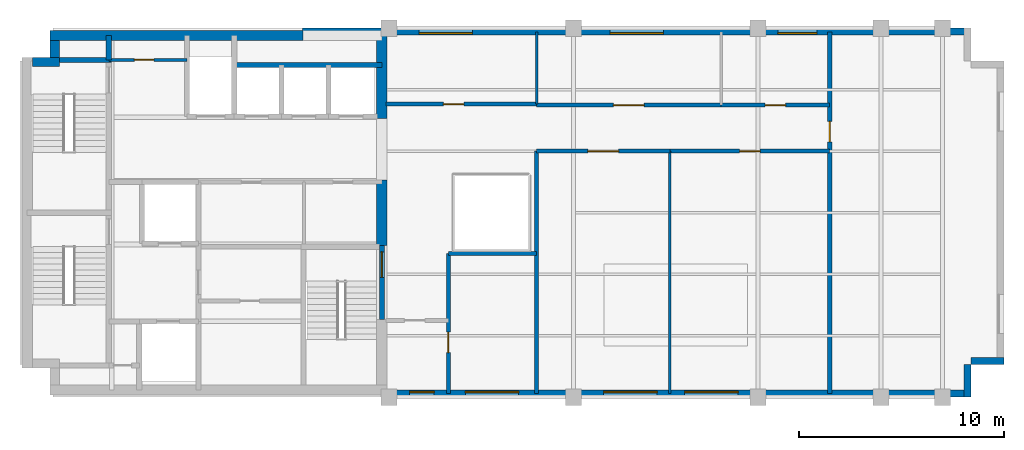
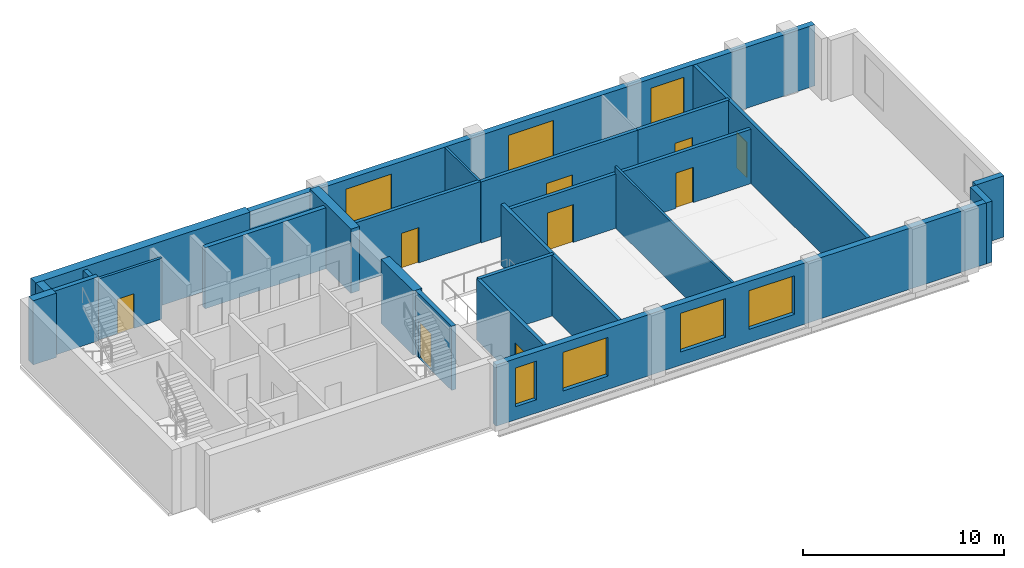
# One storey, part 3 of 5: 25 walls, 9 doors, 7 windows, 16 openings.
"""IFC4 building model written with IfcOpenShell, lengths in metres."""

from ifc_helpers import new_model, si_unit, direction, frame, frame_2d, origin, place, context, subcontext, project, spatial, rectangle, extrude, material, layer, layer_set, type_object, element, fill, save


model = new_model("IFC4")

# Units and contexts
model_context = context("Model", 3, precision=1e-05, world=origin(), true_north=direction((0.0, 1.0)))
body_context = subcontext(model_context, "Body", "Model", "MODEL_VIEW")
ifc_project = project(units=[si_unit("LENGTHUNIT", "METRE"), si_unit("AREAUNIT", "SQUARE_METRE"), si_unit("VOLUMEUNIT", "CUBIC_METRE"), si_unit("PLANEANGLEUNIT", "RADIAN"), si_unit("MASSUNIT", "GRAM", prefix="KILO")], contexts=[model_context])

# Site, building, storey
site_placement = place(None, origin())
site = spatial("IfcSite", under=ifc_project, at=site_placement, CompositionType="ELEMENT")
building_placement = place(site_placement, origin())
building = spatial("IfcBuilding", under=site, at=building_placement, Name="Mawjdan Bourse Tower", CompositionType="ELEMENT")
storey_placement = place(building_placement, frame((0.0, 0.0, 278.10009765625)))
storey = spatial("IfcBuildingStorey", under=building, at=storey_placement, Name="L68", CompositionType="ELEMENT", Elevation=278.10009765625)

# Wall, openings, windows
ifc_material_1 = material(Name="Brick Masonry Buff", Category="masonry")
ifc_layer_1 = layer(ifc_material_1, 0.340087890625)
ifc_layer_set_1 = layer_set([ifc_layer_1], Name="Brick Masonry Buff")
wall_type_1 = type_object("IfcWallType", Name="WL-BRK-SPN-340", PredefinedType="STANDARD", material=ifc_layer_set_1)
wall_1_placement = place(storey_placement, frame((23.89990234375, 3.169921875, 0.0), z_axis=(0.0, 0.0, 1.0), x_axis=(1.0, 0.0, 0.0)))
wall_1 = element("IfcWall", 1, at=wall_1_placement, inside=storey, type_object=wall_type_1, Name="L68 Exterior Brick Wall 1", PredefinedType="STANDARD", context=body_context, shape_type="SweptSolid", body=[
    extrude(rectangle(XDim=28.5, YDim=0.340087890625, at=frame_2d((14.25, 0.0))), origin(), (0.0, 0.0, 1.0), 3.71484375),
])
opening_1_placement = place(wall_1_placement, frame((10.574951171875, 0.0, 0.800048828125)))
opening_1 = element("IfcOpeningElement", 2, at=opening_1_placement, cuts=wall_1, Name="Opening W-L68-01", PredefinedType="OPENING", context=body_context, shape_type="SweptSolid", body=[
    extrude(rectangle(XDim=2.60009765625, YDim=2.35009765625, at=frame_2d((1.300048828125, 1.175048828125))), frame((0.0, 0.18017578125, 0.0), z_axis=(0.0, -1.0, 0.0), x_axis=(1.0, 0.0, 0.0)), (0.0, 0.0, 1.0), 0.360107421875),
])
opening_2_placement = place(wall_1_placement, frame((1.10009765625, 0.0, 0.800048828125)))
opening_2 = element("IfcOpeningElement", 3, at=opening_2_placement, cuts=wall_1, Name="Opening W-L68-06", PredefinedType="OPENING", context=body_context, shape_type="SweptSolid", body=[
    extrude(rectangle(XDim=1.199951171875, YDim=2.35009765625, at=frame_2d((0.60009765625, 1.175048828125))), frame((0.0, 0.18017578125, 0.0), z_axis=(0.0, -1.0, 0.0), x_axis=(1.0, 0.0, 0.0)), (0.0, 0.0, 1.0), 0.360107421875),
])
opening_3_placement = place(wall_1_placement, frame((3.82568359375, 0.0, 0.800048828125)))
opening_3 = element("IfcOpeningElement", 4, at=opening_3_placement, cuts=wall_1, Name="Opening W-L68-07", PredefinedType="OPENING", context=body_context, shape_type="SweptSolid", body=[
    extrude(rectangle(XDim=2.60009765625, YDim=2.35009765625, at=frame_2d((1.300048828125, 1.175048828125))), frame((0.0, 0.18017578125, 0.0), z_axis=(0.0, -1.0, 0.0), x_axis=(1.0, 0.0, 0.0)), (0.0, 0.0, 1.0), 0.360107421875),
])
opening_4_placement = place(wall_1_placement, frame((14.52490234375, 0.0, 0.800048828125)))
opening_4 = element("IfcOpeningElement", 5, at=opening_4_placement, cuts=wall_1, Name="Opening W-L68-08", PredefinedType="OPENING", context=body_context, shape_type="SweptSolid", body=[
    extrude(rectangle(XDim=2.60009765625, YDim=2.35009765625, at=frame_2d((1.300048828125, 1.175048828125))), frame((0.0, 0.18017578125, 0.0), z_axis=(0.0, -1.0, 0.0), x_axis=(1.0, 0.0, 0.0)), (0.0, 0.0, 1.0), 0.360107421875),
])
ifc_material_2 = material(Name="Solar-Control Clear Double Glazing", Category="glass")
window_type_1 = type_object("IfcWindowType", Name="WN-SMT-1200", PartitioningType="SINGLE_PANEL", PredefinedType="WINDOW", material=ifc_material_2)
window_1_placement = place(opening_2_placement, origin())
window_1 = element("IfcWindow", 6, at=window_1_placement, inside=storey, type_object=window_type_1, Name="L68 Deep-Set Masonry Window W-L68-06", OverallHeight=2.35009765625, OverallWidth=1.199951171875, PartitioningType="SINGLE_PANEL", PredefinedType="WINDOW", context=body_context, shape_type="SweptSolid", body=[
    extrude(rectangle(XDim=1.199951171875, YDim=2.35009765625, at=frame_2d((0.60009765625, 1.175048828125))), frame((0.0, 0.110107421875, 0.0), z_axis=(0.0, -1.0, 0.0), x_axis=(1.0, 0.0, 0.0)), (0.0, 0.0, 1.0), 0.06005859375),
])
fill(opening_2, window_1)
window_type_2 = type_object("IfcWindowType", Name="WN-SMT-2600", PartitioningType="SINGLE_PANEL", PredefinedType="WINDOW", material=ifc_material_2)
window_2_placement = place(opening_1_placement, origin())
window_2 = element("IfcWindow", 7, at=window_2_placement, inside=storey, type_object=window_type_2, Name="L68 Deep-Set Masonry Window W-L68-01", OverallHeight=2.35009765625, OverallWidth=2.60009765625, PartitioningType="SINGLE_PANEL", PredefinedType="WINDOW", context=body_context, shape_type="SweptSolid", body=[
    extrude(rectangle(XDim=2.60009765625, YDim=2.35009765625, at=frame_2d((1.300048828125, 1.175048828125))), frame((0.0, 0.110107421875, 0.0), z_axis=(0.0, -1.0, 0.0), x_axis=(1.0, 0.0, 0.0)), (0.0, 0.0, 1.0), 0.06005859375),
])
fill(opening_1, window_2)
window_3_placement = place(opening_3_placement, origin())
window_3 = element("IfcWindow", 8, at=window_3_placement, inside=storey, type_object=window_type_2, Name="L68 Deep-Set Masonry Window W-L68-07", OverallHeight=2.35009765625, OverallWidth=2.60009765625, PartitioningType="SINGLE_PANEL", PredefinedType="WINDOW", context=body_context, shape_type="SweptSolid", body=[
    extrude(rectangle(XDim=2.60009765625, YDim=2.35009765625, at=frame_2d((1.300048828125, 1.175048828125))), frame((0.0, 0.110107421875, 0.0), z_axis=(0.0, -1.0, 0.0), x_axis=(1.0, 0.0, 0.0)), (0.0, 0.0, 1.0), 0.06005859375),
])
fill(opening_3, window_3)
window_4_placement = place(opening_4_placement, origin())
window_4 = element("IfcWindow", 9, at=window_4_placement, inside=storey, type_object=window_type_2, Name="L68 Deep-Set Masonry Window W-L68-08", OverallHeight=2.35009765625, OverallWidth=2.60009765625, PartitioningType="SINGLE_PANEL", PredefinedType="WINDOW", context=body_context, shape_type="SweptSolid", body=[
    extrude(rectangle(XDim=2.60009765625, YDim=2.35009765625, at=frame_2d((1.300048828125, 1.175048828125))), frame((0.0, 0.110107421875, 0.0), z_axis=(0.0, -1.0, 0.0), x_axis=(1.0, 0.0, 0.0)), (0.0, 0.0, 1.0), 0.06005859375),
])
fill(opening_4, window_4)

# Walls
for number, where, z_axis, x_axis, name in (
    (10, (52.22998046875, 3.0, 0.0), (0.0, 0.0, 1.0), (0.0, 1.0, 0.0), "L68 Exterior Brick Wall 2"),
    (11, (52.39990234375, 4.77001953125, 0.0), (0.0, 0.0, 1.0), (1.0, 0.0, 0.0), "L68 Exterior Brick Wall 3"),
):
    element("IfcWall", number, at=place(storey_placement, frame(where, z_axis=z_axis, x_axis=x_axis)), inside=storey, type_object=wall_type_1, Name=name, PredefinedType="STANDARD", context=body_context, shape_type="SweptSolid", body=[
        extrude(rectangle(XDim=1.60009765625, YDim=0.340087890625, at=frame_2d((0.800048828125, 0.0))), origin(), (0.0, 0.0, 1.0), 3.71484375),
    ])

# Wall, openings, windows
wall_2_placement = place(storey_placement, frame((52.39990234375, 20.830078125, 0.0), z_axis=(0.0, 0.0, 1.0), x_axis=(-1.0, 0.0, 0.0)))
wall_2 = element("IfcWall", 12, at=wall_2_placement, inside=storey, type_object=wall_type_1, Name="L68 Exterior Brick Wall 7", PredefinedType="STANDARD", context=body_context, shape_type="SweptSolid", body=[
    extrude(rectangle(XDim=32.619873046875, YDim=0.340087890625, at=frame_2d((16.31005859375, 0.0))), origin(), (0.0, 0.0, 1.0), 3.71484375),
])
opening_5_placement = place(wall_2_placement, frame((15.010009765625, 0.0, 0.800048828125)))
opening_5 = element("IfcOpeningElement", 13, at=opening_5_placement, cuts=wall_2, Name="Opening W-L68-04", PredefinedType="OPENING", context=body_context, shape_type="SweptSolid", body=[
    extrude(rectangle(XDim=2.60009765625, YDim=2.35009765625, at=frame_2d((1.300048828125, 1.175048828125))), frame((0.0, 0.18017578125, 0.0), z_axis=(0.0, -1.0, 0.0), x_axis=(1.0, 0.0, 0.0)), (0.0, 0.0, 1.0), 0.360107421875),
])
opening_6_placement = place(wall_2_placement, frame((24.330078125, 0.0, 0.800048828125)))
opening_6 = element("IfcOpeningElement", 14, at=opening_6_placement, cuts=wall_2, Name="Opening W-L68-05", PredefinedType="OPENING", context=body_context, shape_type="SweptSolid", body=[
    extrude(rectangle(XDim=2.60009765625, YDim=2.35009765625, at=frame_2d((1.300048828125, 1.175048828125))), frame((0.0, 0.18017578125, 0.0), z_axis=(0.0, -1.0, 0.0), x_axis=(1.0, 0.0, 0.0)), (0.0, 0.0, 1.0), 0.360107421875),
])
opening_7_placement = place(wall_2_placement, frame((7.52490234375, 0.0, 0.800048828125)))
opening_7 = element("IfcOpeningElement", 15, at=opening_7_placement, cuts=wall_2, Name="Opening W-L68-09", PredefinedType="OPENING", context=body_context, shape_type="SweptSolid", body=[
    extrude(rectangle(XDim=1.89990234375, YDim=2.35009765625, at=frame_2d((0.949951171875, 1.175048828125))), frame((0.0, 0.18017578125, 0.0), z_axis=(0.0, -1.0, 0.0), x_axis=(1.0, 0.0, 0.0)), (0.0, 0.0, 1.0), 0.360107421875),
])
window_type_3 = type_object("IfcWindowType", Name="WN-SMT-1900", PartitioningType="SINGLE_PANEL", PredefinedType="WINDOW", material=ifc_material_2)
window_5_placement = place(opening_7_placement, origin())
window_5 = element("IfcWindow", 16, at=window_5_placement, inside=storey, type_object=window_type_3, Name="L68 Deep-Set Masonry Window W-L68-09", OverallHeight=2.35009765625, OverallWidth=1.89990234375, PartitioningType="SINGLE_PANEL", PredefinedType="WINDOW", context=body_context, shape_type="SweptSolid", body=[
    extrude(rectangle(XDim=1.89990234375, YDim=2.35009765625, at=frame_2d((0.949951171875, 1.175048828125))), frame((0.0, 0.110107421875, 0.0), z_axis=(0.0, -1.0, 0.0), x_axis=(1.0, 0.0, 0.0)), (0.0, 0.0, 1.0), 0.06005859375),
])
fill(opening_7, window_5)
window_6_placement = place(opening_5_placement, origin())
window_6 = element("IfcWindow", 17, at=window_6_placement, inside=storey, type_object=window_type_2, Name="L68 Deep-Set Masonry Window W-L68-04", OverallHeight=2.35009765625, OverallWidth=2.60009765625, PartitioningType="SINGLE_PANEL", PredefinedType="WINDOW", context=body_context, shape_type="SweptSolid", body=[
    extrude(rectangle(XDim=2.60009765625, YDim=2.35009765625, at=frame_2d((1.300048828125, 1.175048828125))), frame((0.0, 0.110107421875, 0.0), z_axis=(0.0, -1.0, 0.0), x_axis=(1.0, 0.0, 0.0)), (0.0, 0.0, 1.0), 0.06005859375),
])
fill(opening_5, window_6)
window_7_placement = place(opening_6_placement, origin())
window_7 = element("IfcWindow", 18, at=window_7_placement, inside=storey, type_object=window_type_2, Name="L68 Deep-Set Masonry Window W-L68-05", OverallHeight=2.35009765625, OverallWidth=2.60009765625, PartitioningType="SINGLE_PANEL", PredefinedType="WINDOW", context=body_context, shape_type="SweptSolid", body=[
    extrude(rectangle(XDim=2.60009765625, YDim=2.35009765625, at=frame_2d((1.300048828125, 1.175048828125))), frame((0.0, 0.110107421875, 0.0), z_axis=(0.0, -1.0, 0.0), x_axis=(1.0, 0.0, 0.0)), (0.0, 0.0, 1.0), 0.06005859375),
])
fill(opening_6, window_7)

# Wall, opening, door
ifc_material_3 = material(Name="Gypsum Fireboard Assembly")
ifc_layer_2 = layer(ifc_material_3, 0.199951171875)
ifc_layer_set_2 = layer_set([ifc_layer_2], Name="Gypsum Fireboard Assembly")
wall_type_2 = type_object("IfcWallType", Name="WL-CMP-200", PredefinedType="PARTITIONING", material=ifc_layer_set_2)
wall_3_placement = place(storey_placement, frame((26.89990234375, 3.179931640625, 0.0), z_axis=(0.0, 0.0, 1.0), x_axis=(0.0, 1.0, 0.0)))
wall_3 = element("IfcWall", 19, at=wall_3_placement, inside=storey, type_object=wall_type_2, Name="L68 Summit South Atrium Suite West Wall", PredefinedType="PARTITIONING", context=body_context, shape_type="SweptSolid", body=[
    extrude(rectangle(XDim=6.820068359375, YDim=0.199951171875, at=frame_2d((3.41015625, 0.0))), origin(), (0.0, 0.0, 1.0), 3.704833984375),
])
opening_8_placement = place(wall_3_placement, frame((2.0, 0.0, 0.0)))
opening_8 = element("IfcOpeningElement", 20, at=opening_8_placement, cuts=wall_3, Name="Opening D-L68-18", PredefinedType="OPENING", context=body_context, shape_type="SweptSolid", body=[
    extrude(rectangle(XDim=1.0, YDim=2.14990234375, at=frame_2d((0.5, 1.074951171875))), frame((0.0, 0.10986328125, 0.0), z_axis=(0.0, -1.0, 0.0), x_axis=(1.0, 0.0, 0.0)), (0.0, 0.0, 1.0), 0.219970703125),
])
ifc_material_4 = material(Name="Hardwood Acoustic Leaf", Category="wood")
door_type_1 = type_object("IfcDoorType", Name="DR-OFC-1000", OperationType="NOTDEFINED", PredefinedType="DOOR", material=ifc_material_4)
door_1_placement = place(opening_8_placement, origin())
door_1 = element("IfcDoor", 21, at=door_1_placement, inside=storey, type_object=door_type_1, Name="L68 Summit South Atrium Suite Door D-L68-18", OperationType="SINGLE_SWING_RIGHT", OverallHeight=2.14990234375, OverallWidth=1.0, PredefinedType="DOOR", context=body_context, shape_type="SweptSolid", body=[
    extrude(rectangle(XDim=1.0, YDim=2.14990234375, at=frame_2d((0.5, 1.074951171875))), frame((0.0, 0.02490234375, 0.0), z_axis=(0.0, -1.0, 0.0), x_axis=(1.0, 0.0, 0.0)), (0.0, 0.0, 1.0), 0.050048828125),
])
fill(opening_8, door_1)

# Walls
wall_4_placement = place(storey_placement, frame((26.89990234375, 10.0, 0.0), z_axis=(0.0, 0.0, 1.0), x_axis=(1.0, 0.0, 0.0)))
element("IfcWall", 22, at=wall_4_placement, inside=storey, type_object=wall_type_2, Name="L68 Summit South Atrium Suite North Wall", PredefinedType="PARTITIONING", context=body_context, shape_type="SweptSolid", body=[
    extrude(rectangle(XDim=4.300048828125, YDim=0.199951171875, at=frame_2d((2.14990234375, 0.0))), origin(), (0.0, 0.0, 1.0), 3.704833984375),
])
wall_5_placement = place(storey_placement, frame((31.199951171875, 3.179931640625, 0.0), z_axis=(0.0, 0.0, 1.0), x_axis=(0.0, 1.0, 0.0)))
element("IfcWall", 23, at=wall_5_placement, inside=storey, type_object=wall_type_2, Name="L68 Summit South Atrium Suite East Wall", PredefinedType="PARTITIONING", context=body_context, shape_type="SweptSolid", body=[
    extrude(rectangle(XDim=11.820068359375, YDim=0.199951171875, at=frame_2d((5.91015625, 0.0))), origin(), (0.0, 0.0, 1.0), 3.704833984375),
])

# Wall, opening, door
wall_6_placement = place(storey_placement, frame((23.85009765625, 17.300048828125, 0.0), z_axis=(0.0, 0.0, 1.0), x_axis=(1.0, 0.0, 0.0)))
wall_6 = element("IfcWall", 24, at=wall_6_placement, inside=storey, type_object=wall_type_2, Name="L68 Summit Throat North Wall", PredefinedType="PARTITIONING", context=body_context, shape_type="SweptSolid", body=[
    extrude(rectangle(XDim=7.349853515625, YDim=0.199951171875, at=frame_2d((3.6748046875, 0.0))), origin(), (0.0, 0.0, 1.0), 3.704833984375),
])
opening_9_placement = place(wall_6_placement, frame((2.800048828125, 0.0, 0.0)))
opening_9 = element("IfcOpeningElement", 25, at=opening_9_placement, cuts=wall_6, Name="Opening D-L68-19", PredefinedType="OPENING", context=body_context, shape_type="SweptSolid", body=[
    extrude(rectangle(XDim=1.0, YDim=2.14990234375, at=frame_2d((0.5, 1.074951171875))), frame((0.0, 0.10986328125, 0.0), z_axis=(0.0, -1.0, 0.0), x_axis=(1.0, 0.0, 0.0)), (0.0, 0.0, 1.0), 0.219970703125),
])
door_2_placement = place(opening_9_placement, origin())
door_2 = element("IfcDoor", 26, at=door_2_placement, inside=storey, type_object=door_type_1, Name="L68 Summit Throat North Room Door D-L68-19", OperationType="SINGLE_SWING_LEFT", OverallHeight=2.14990234375, OverallWidth=1.0, PredefinedType="DOOR", context=body_context, shape_type="SweptSolid", body=[
    extrude(rectangle(XDim=1.0, YDim=2.14990234375, at=frame_2d((0.5, 1.074951171875))), frame((0.0, 0.02490234375, 0.0), z_axis=(0.0, -1.0, 0.0), x_axis=(1.0, 0.0, 0.0)), (0.0, 0.0, 1.0), 0.050048828125),
])
fill(opening_9, door_2)

wall_7_placement = place(storey_placement, frame((31.199951171875, 15.0, 0.0), z_axis=(0.0, 0.0, 1.0), x_axis=(1.0, 0.0, 0.0)))
wall_7 = element("IfcWall", 27, at=wall_7_placement, inside=storey, type_object=wall_type_2, Name="L68 Board of Governors Chamber Corridor Wall", PredefinedType="PARTITIONING", context=body_context, shape_type="SweptSolid", body=[
    extrude(rectangle(XDim=6.5, YDim=0.199951171875, at=frame_2d((3.25, 0.0))), origin(), (0.0, 0.0, 1.0), 3.30078125),
])
opening_10_placement = place(wall_7_placement, frame((2.5, 0.0, 0.0)))
opening_10 = element("IfcOpeningElement", 28, at=opening_10_placement, cuts=wall_7, Name="Opening D-L68-20", PredefinedType="OPENING", context=body_context, shape_type="SweptSolid", body=[
    extrude(rectangle(XDim=1.5, YDim=2.300048828125, at=frame_2d((0.75, 1.14990234375))), frame((0.0, 0.10986328125, 0.0), z_axis=(0.0, -1.0, 0.0), x_axis=(1.0, 0.0, 0.0)), (0.0, 0.0, 1.0), 0.219970703125),
])
ifc_material_5 = material(Name="Acoustic Glazed Timber", Category="wood")
door_type_2 = type_object("IfcDoorType", Name="DR-CNF-1500", OperationType="DOUBLE_DOOR_SINGLE_SWING", PredefinedType="DOOR", material=ifc_material_5)
door_3_placement = place(opening_10_placement, origin())
door_3 = element("IfcDoor", 29, at=door_3_placement, inside=storey, type_object=door_type_2, Name="L68 Board of Governors Chamber Door D-L68-20", OperationType="DOUBLE_DOOR_SINGLE_SWING", OverallHeight=2.300048828125, OverallWidth=1.5, PredefinedType="DOOR", context=body_context, shape_type="SweptSolid", body=[
    extrude(rectangle(XDim=1.5, YDim=2.300048828125, at=frame_2d((0.75, 1.14990234375))), frame((0.0, 0.02490234375, 0.0), z_axis=(0.0, -1.0, 0.0), x_axis=(1.0, 0.0, 0.0)), (0.0, 0.0, 1.0), 0.050048828125),
])
fill(opening_10, door_3)

wall_8_placement = place(storey_placement, frame((37.699951171875, 15.0, 0.0), z_axis=(0.0, 0.0, 1.0), x_axis=(1.0, 0.0, 0.0)))
wall_8 = element("IfcWall", 30, at=wall_8_placement, inside=storey, type_object=wall_type_2, Name="L68 Executive Office Corridor Wall", PredefinedType="PARTITIONING", context=body_context, shape_type="SweptSolid", body=[
    extrude(rectangle(XDim=7.800048828125, YDim=0.199951171875, at=frame_2d((3.89990234375, 0.0))), origin(), (0.0, 0.0, 1.0), 3.30078125),
])
opening_11_placement = place(wall_8_placement, frame((3.39990234375, 0.0, 0.0)))
opening_11 = element("IfcOpeningElement", 31, at=opening_11_placement, cuts=wall_8, Name="Opening D-L68-21", PredefinedType="OPENING", context=body_context, shape_type="SweptSolid", body=[
    extrude(rectangle(XDim=1.0, YDim=2.14990234375, at=frame_2d((0.5, 1.074951171875))), frame((0.0, 0.10986328125, 0.0), z_axis=(0.0, -1.0, 0.0), x_axis=(1.0, 0.0, 0.0)), (0.0, 0.0, 1.0), 0.219970703125),
])
door_4_placement = place(opening_11_placement, origin())
door_4 = element("IfcDoor", 32, at=door_4_placement, inside=storey, type_object=door_type_1, Name="L68 Executive Office Door D-L68-21", OperationType="SINGLE_SWING_RIGHT", OverallHeight=2.14990234375, OverallWidth=1.0, PredefinedType="DOOR", context=body_context, shape_type="SweptSolid", body=[
    extrude(rectangle(XDim=1.0, YDim=2.14990234375, at=frame_2d((0.5, 1.074951171875))), frame((0.0, 0.02490234375, 0.0), z_axis=(0.0, -1.0, 0.0), x_axis=(1.0, 0.0, 0.0)), (0.0, 0.0, 1.0), 0.050048828125),
])
fill(opening_11, door_4)

wall_9_placement = place(storey_placement, frame((31.199951171875, 17.25, 0.0), z_axis=(0.0, 0.0, 1.0), x_axis=(1.0, 0.0, 0.0)))
wall_9 = element("IfcWall", 33, at=wall_9_placement, inside=storey, type_object=wall_type_2, Name="L68 Conference Room Corridor Wall", PredefinedType="PARTITIONING", context=body_context, shape_type="SweptSolid", body=[
    extrude(rectangle(XDim=9.0, YDim=0.199951171875, at=frame_2d((4.5, 0.0))), origin(), (0.0, 0.0, 1.0), 3.704833984375),
])
opening_12_placement = place(wall_9_placement, frame((3.75, 0.0, 0.0)))
opening_12 = element("IfcOpeningElement", 34, at=opening_12_placement, cuts=wall_9, Name="Opening D-L68-22", PredefinedType="OPENING", context=body_context, shape_type="SweptSolid", body=[
    extrude(rectangle(XDim=1.5, YDim=2.300048828125, at=frame_2d((0.75, 1.14990234375))), frame((0.0, 0.10986328125, 0.0), z_axis=(0.0, -1.0, 0.0), x_axis=(1.0, 0.0, 0.0)), (0.0, 0.0, 1.0), 0.219970703125),
])
door_5_placement = place(opening_12_placement, origin())
door_5 = element("IfcDoor", 35, at=door_5_placement, inside=storey, type_object=door_type_2, Name="L68 Conference Room Door D-L68-22", OperationType="DOUBLE_DOOR_SINGLE_SWING", OverallHeight=2.300048828125, OverallWidth=1.5, PredefinedType="DOOR", context=body_context, shape_type="SweptSolid", body=[
    extrude(rectangle(XDim=1.5, YDim=2.300048828125, at=frame_2d((0.75, 1.14990234375))), frame((0.0, 0.02490234375, 0.0), z_axis=(0.0, -1.0, 0.0), x_axis=(1.0, 0.0, 0.0)), (0.0, 0.0, 1.0), 0.050048828125),
])
fill(opening_12, door_5)

wall_10_placement = place(storey_placement, frame((40.199951171875, 17.25, 0.0), z_axis=(0.0, 0.0, 1.0), x_axis=(1.0, 0.0, 0.0)))
wall_10 = element("IfcWall", 36, at=wall_10_placement, inside=storey, type_object=wall_type_2, Name="L68 General Counsel Office Corridor Wall", PredefinedType="PARTITIONING", context=body_context, shape_type="SweptSolid", body=[
    extrude(rectangle(XDim=5.300048828125, YDim=0.199951171875, at=frame_2d((2.64990234375, 0.0))), origin(), (0.0, 0.0, 1.0), 3.704833984375),
])
opening_13_placement = place(wall_10_placement, frame((2.14990234375, 0.0, 0.0)))
opening_13 = element("IfcOpeningElement", 37, at=opening_13_placement, cuts=wall_10, Name="Opening D-L68-23", PredefinedType="OPENING", context=body_context, shape_type="SweptSolid", body=[
    extrude(rectangle(XDim=1.0, YDim=2.14990234375, at=frame_2d((0.5, 1.074951171875))), frame((0.0, 0.10986328125, 0.0), z_axis=(0.0, -1.0, 0.0), x_axis=(1.0, 0.0, 0.0)), (0.0, 0.0, 1.0), 0.219970703125),
])
door_6_placement = place(opening_13_placement, origin())
door_6 = element("IfcDoor", 38, at=door_6_placement, inside=storey, type_object=door_type_1, Name="L68 General Counsel Office Door D-L68-23", OperationType="SINGLE_SWING_LEFT", OverallHeight=2.14990234375, OverallWidth=1.0, PredefinedType="DOOR", context=body_context, shape_type="SweptSolid", body=[
    extrude(rectangle(XDim=1.0, YDim=2.14990234375, at=frame_2d((0.5, 1.074951171875))), frame((0.0, 0.02490234375, 0.0), z_axis=(0.0, -1.0, 0.0), x_axis=(1.0, 0.0, 0.0)), (0.0, 0.0, 1.0), 0.050048828125),
])
fill(opening_13, door_6)

wall_11_placement = place(storey_placement, frame((45.5, 3.179931640625, 0.0), z_axis=(0.0, 0.0, 1.0), x_axis=(0.0, 1.0, 0.0)))
wall_11 = element("IfcWall", 39, at=wall_11_placement, inside=storey, type_object=wall_type_2, Name="L68 East Tip Full Cross Wall", PredefinedType="PARTITIONING", context=body_context, shape_type="SweptSolid", body=[
    extrude(rectangle(XDim=17.64013671875, YDim=0.199951171875, at=frame_2d((8.820068359375, 0.0))), origin(), (0.0, 0.0, 1.0), 3.704833984375),
])
opening_14_placement = place(wall_11_placement, frame((12.27490234375, 0.0, 0.0)))
opening_14 = element("IfcOpeningElement", 40, at=opening_14_placement, cuts=wall_11, Name="Opening D-L68-24", PredefinedType="OPENING", context=body_context, shape_type="SweptSolid", body=[
    extrude(rectangle(XDim=1.0, YDim=2.14990234375, at=frame_2d((0.5, 1.074951171875))), frame((0.0, 0.10986328125, 0.0), z_axis=(0.0, -1.0, 0.0), x_axis=(1.0, 0.0, 0.0)), (0.0, 0.0, 1.0), 0.219970703125),
])
door_7_placement = place(opening_14_placement, origin())
door_7 = element("IfcDoor", 41, at=door_7_placement, inside=storey, type_object=door_type_1, Name="L68 East Tip Hall Door D-L68-24", OperationType="SINGLE_SWING_RIGHT", OverallHeight=2.14990234375, OverallWidth=1.0, PredefinedType="DOOR", context=body_context, shape_type="SweptSolid", body=[
    extrude(rectangle(XDim=1.0, YDim=2.14990234375, at=frame_2d((0.5, 1.074951171875))), frame((0.0, 0.02490234375, 0.0), z_axis=(0.0, -1.0, 0.0), x_axis=(1.0, 0.0, 0.0)), (0.0, 0.0, 1.0), 0.050048828125),
])
fill(opening_14, door_7)

# Walls
ifc_material_6 = material(Name="Concrete C60/75", Category="concrete")
ifc_layer_3 = layer(ifc_material_6, 0.449951171875)
ifc_layer_set_3 = layer_set([ifc_layer_3], Name="Concrete C60/75")
wall_type_3 = type_object("IfcWallType", Name="WL-CORE-450", PredefinedType="SHEAR", material=ifc_layer_set_3)
wall_12_placement = place(storey_placement, frame((6.60009765625, 19.35009765625, 0.0), z_axis=(0.0, 0.0, 1.0), x_axis=(1.0, 0.0, 0.0)))
element("IfcWall", 42, at=wall_12_placement, inside=storey, type_object=wall_type_3, Name="L68 Rear Core Shear Wall NW-X", PredefinedType="SHEAR", context=body_context, shape_type="SweptSolid", body=[
    extrude(rectangle(XDim=1.324951171875, YDim=0.449951171875, at=frame_2d((0.66259765625, 0.0))), origin(), (0.0, 0.0, 1.0), 3.89990234375),
])
wall_13_placement = place(storey_placement, frame((7.699951171875, 19.574951171875, 0.0), z_axis=(0.0, 0.0, 1.0), x_axis=(0.0, 1.0, 0.0)))
element("IfcWall", 43, at=wall_13_placement, inside=storey, type_object=wall_type_3, Name="L68 Rear Core Shear Wall NW-Y", PredefinedType="SHEAR", context=body_context, shape_type="SweptSolid", body=[
    extrude(rectangle(XDim=0.824951171875, YDim=0.449951171875, at=frame_2d((0.41259765625, 0.0))), origin(), (0.0, 0.0, 1.0), 3.89990234375),
])
ifc_layer_4 = layer(ifc_material_6, 0.5)
ifc_layer_set_4 = layer_set([ifc_layer_4], Name="Concrete C60/75")
wall_type_4 = type_object("IfcWallType", Name="WL-CORE-500", PredefinedType="SHEAR", material=ifc_layer_set_4)
wall_14_placement = place(storey_placement, frame((7.47509765625, 20.64990234375, 0.0), z_axis=(0.0, 0.0, 1.0), x_axis=(1.0, 0.0, 0.0)))
element("IfcWall", 44, at=wall_14_placement, inside=storey, type_object=wall_type_4, Name="L68 Rear Core Shear Wall N", PredefinedType="SHEAR", context=body_context, shape_type="SweptSolid", body=[
    extrude(rectangle(XDim=12.324951171875, YDim=0.5, at=frame_2d((6.16259765625, 0.0))), origin(), (0.0, 0.0, 1.0), 3.89990234375),
])
wall_15_placement = place(storey_placement, frame((23.64990234375, 10.39990234375, 0.0), z_axis=(0.0, 0.0, 1.0), x_axis=(0.0, 1.0, 0.0)))
element("IfcWall", 45, at=wall_15_placement, inside=storey, type_object=wall_type_4, Name="L68 Rear Core Shear Wall E2", PredefinedType="SHEAR", context=body_context, shape_type="SweptSolid", body=[
    extrude(rectangle(XDim=3.2001953125, YDim=0.5, at=frame_2d((1.60009765625, 0.0))), origin(), (0.0, 0.0, 1.0), 3.89990234375),
])
wall_16_placement = place(storey_placement, frame((23.64990234375, 16.60009765625, 0.0), z_axis=(0.0, 0.0, 1.0), x_axis=(0.0, 1.0, 0.0)))
element("IfcWall", 46, at=wall_16_placement, inside=storey, type_object=wall_type_4, Name="L68 Rear Core Shear Wall E3", PredefinedType="SHEAR", context=body_context, shape_type="SweptSolid", body=[
    extrude(rectangle(XDim=4.0498046875, YDim=0.5, at=frame_2d((2.02490234375, 0.0))), origin(), (0.0, 0.0, 1.0), 3.89990234375),
])
ifc_material_7 = material(Name="Gypsum Partition")
ifc_layer_5 = layer(ifc_material_7, 0.125)
ifc_layer_set_5 = layer_set([ifc_layer_5], Name="Gypsum Partition")
wall_type_5 = type_object("IfcWallType", Name="WL-PRT-125", PredefinedType="PARTITIONING", material=ifc_layer_set_5)
wall_17_placement = place(storey_placement, frame((31.199951171875, 17.300048828125, 0.0), z_axis=(0.0, 0.0, 1.0), x_axis=(0.0, 1.0, 0.0)))
element("IfcWall", 47, at=wall_17_placement, inside=storey, type_object=wall_type_5, Name="L68 Summit Throat North Return", PredefinedType="PARTITIONING", context=body_context, shape_type="SweptSolid", body=[
    extrude(rectangle(XDim=3.52001953125, YDim=0.125, at=frame_2d((1.760009765625, 0.0))), origin(), (0.0, 0.0, 1.0), 3.704833984375),
])
wall_18_placement = place(storey_placement, frame((37.699951171875, 3.179931640625, 0.0), z_axis=(0.0, 0.0, 1.0), x_axis=(0.0, 1.0, 0.0)))
element("IfcWall", 48, at=wall_18_placement, inside=storey, type_object=wall_type_5, Name="L68 Executive Office Partition", PredefinedType="PARTITIONING", context=body_context, shape_type="SweptSolid", body=[
    extrude(rectangle(XDim=11.820068359375, YDim=0.125, at=frame_2d((5.91015625, 0.0))), origin(), (0.0, 0.0, 1.0), 3.704833984375),
])

# Wall, opening, door
ifc_material_8 = material(Name="Gypsum Acoustic Partition")
ifc_layer_6 = layer(ifc_material_8, 0.14990234375)
ifc_layer_set_6 = layer_set([ifc_layer_6], Name="Gypsum Acoustic Partition")
wall_type_6 = type_object("IfcWallType", Name="WL-PRT-150", PredefinedType="PARTITIONING", material=ifc_layer_set_6)
wall_19_placement = place(storey_placement, frame((10.330078125, 19.449951171875, 0.0), z_axis=(0.0, 0.0, 1.0), x_axis=(1.0, 0.0, 0.0)))
wall_19 = element("IfcWall", 49, at=wall_19_placement, inside=storey, type_object=wall_type_6, Name="L68 Housekeeping South Wall", PredefinedType="PARTITIONING", context=body_context, shape_type="SweptSolid", body=[
    extrude(rectangle(XDim=3.81982421875, YDim=0.14990234375, at=frame_2d((1.909912109375, 0.0))), origin(), (0.0, 0.0, 1.0), 3.704833984375),
])
opening_15_placement = place(wall_19_placement, frame((1.25, 0.0, 0.0)))
opening_15 = element("IfcOpeningElement", 50, at=opening_15_placement, cuts=wall_19, Name="Opening D-L68-16", PredefinedType="OPENING", context=body_context, shape_type="SweptSolid", body=[
    extrude(rectangle(XDim=0.949951171875, YDim=2.10009765625, at=frame_2d((0.47509765625, 1.050048828125))), frame((0.0, 0.0849609375, 0.0), z_axis=(0.0, -1.0, 0.0), x_axis=(1.0, 0.0, 0.0)), (0.0, 0.0, 1.0), 0.169921875),
])
ifc_material_9 = material(Name="Moisture-Resistant Laminate Timber", Category="wood")
door_type_3 = type_object("IfcDoorType", Name="DR-WET-0950", OperationType="NOTDEFINED", PredefinedType="DOOR", material=ifc_material_9)
door_8_placement = place(opening_15_placement, origin())
door_8 = element("IfcDoor", 51, at=door_8_placement, inside=storey, type_object=door_type_3, Name="L68 Housekeeping Closet Door D-L68-16", OperationType="SINGLE_SWING_RIGHT", OverallHeight=2.10009765625, OverallWidth=0.949951171875, PredefinedType="DOOR", context=body_context, shape_type="SweptSolid", body=[
    extrude(rectangle(XDim=0.949951171875, YDim=2.10009765625, at=frame_2d((0.47509765625, 1.050048828125))), frame((0.0, 0.02490234375, 0.0), z_axis=(0.0, -1.0, 0.0), x_axis=(1.0, 0.0, 0.0)), (0.0, 0.0, 1.0), 0.050048828125),
])
fill(opening_15, door_8)

# Walls
ifc_material_10 = material(Name="Concrete C50/60", Category="concrete")
ifc_layer_7 = layer(ifc_material_10, 0.25)
ifc_layer_set_7 = layer_set([ifc_layer_7], Name="Concrete C50/60")
wall_type_7 = type_object("IfcWallType", Name="WL-SHFT-250", PredefinedType="PARTITIONING", material=ifc_layer_set_7)
wall_20_placement = place(storey_placement, frame((10.330078125, 19.449951171875, 0.0), z_axis=(0.0, 0.0, 1.0), x_axis=(0.0, 1.0, 0.0)))
element("IfcWall", 52, at=wall_20_placement, inside=storey, type_object=wall_type_7, Name="L68 NW Riser East Wall", PredefinedType="PARTITIONING", context=body_context, shape_type="SweptSolid", body=[
    extrude(rectangle(XDim=1.199951171875, YDim=0.25, at=frame_2d((0.60009765625, 0.0))), origin(), (0.0, 0.0, 1.0), 3.704833984375),
])
wall_21_placement = place(storey_placement, frame((16.449951171875, 19.199951171875, 0.0), z_axis=(0.0, 0.0, 1.0), x_axis=(1.0, 0.0, 0.0)))
element("IfcWall", 53, at=wall_21_placement, inside=storey, type_object=wall_type_7, Name="L68 PH Bank North Shaft Back Wall", PredefinedType="PARTITIONING", context=body_context, shape_type="SweptSolid", body=[
    extrude(rectangle(XDim=7.199951171875, YDim=0.25, at=frame_2d((3.60009765625, 0.0))), origin(), (0.0, 0.0, 1.0), 3.704833984375),
])
ifc_layer_8 = layer(ifc_material_10, 0.25)
ifc_layer_set_8 = layer_set([ifc_layer_8], Name="Concrete C50/60")
wall_type_8 = type_object("IfcWallType", Name="WL-STRW-250", PredefinedType="SHEAR", material=ifc_layer_set_8)
wall_22_placement = place(storey_placement, frame((7.699951171875, 19.449951171875, 0.0), z_axis=(0.0, 0.0, 1.0), x_axis=(1.0, 0.0, 0.0)))
element("IfcWall", 54, at=wall_22_placement, inside=storey, type_object=wall_type_8, Name="L68 Stairwell ST2 North Shaft Wall", PredefinedType="SHEAR", context=body_context, shape_type="SweptSolid", body=[
    extrude(rectangle(XDim=2.755126953125, YDim=0.25, at=frame_2d((1.37744140625, 0.0))), origin(), (0.0, 0.0, 1.0), 3.89990234375),
])

# Wall, opening, door
wall_23_placement = place(storey_placement, frame((23.64990234375, 6.800048828125, 0.0), z_axis=(0.0, 0.0, 1.0), x_axis=(0.0, 1.0, 0.0)))
wall_23 = element("IfcWall", 55, at=wall_23_placement, inside=storey, type_object=wall_type_8, Name="L68 ST7 East Shaft Wall", PredefinedType="SHEAR", context=body_context, shape_type="SweptSolid", body=[
    extrude(rectangle(XDim=3.599853515625, YDim=0.25, at=frame_2d((1.7998046875, 0.0))), origin(), (0.0, 0.0, 1.0), 3.89990234375),
])
opening_16_placement = place(wall_23_placement, frame((2.0400390625, 0.0, 0.0)))
opening_16 = element("IfcOpeningElement", 56, at=opening_16_placement, cuts=wall_23, Name="Opening SD-L68-25", PredefinedType="OPENING", context=body_context, shape_type="SweptSolid", body=[
    extrude(rectangle(XDim=1.25, YDim=2.199951171875, at=frame_2d((0.625, 1.10009765625))), frame((0.0, 0.135009765625, 0.0), z_axis=(0.0, -1.0, 0.0), x_axis=(1.0, 0.0, 0.0)), (0.0, 0.0, 1.0), 0.27001953125),
])
ifc_material_11 = material(Name="Fire-Rated Steel Leaf", Category="steel")
door_type_4 = type_object("IfcDoorType", Name="FD-ST-1250", OperationType="NOTDEFINED", PredefinedType="DOOR", material=ifc_material_11)
door_9_placement = place(opening_16_placement, origin())
door_9 = element("IfcDoor", 57, at=door_9_placement, inside=storey, type_object=door_type_4, Name="L68 Stair ST7 Fire Door SD-L68-25", OperationType="SINGLE_SWING_LEFT", OverallHeight=2.199951171875, OverallWidth=1.25, PredefinedType="DOOR", context=body_context, shape_type="SweptSolid", body=[
    extrude(rectangle(XDim=1.25, YDim=2.199951171875, at=frame_2d((0.625, 1.10009765625))), frame((0.0, 0.02490234375, 0.0), z_axis=(0.0, -1.0, 0.0), x_axis=(1.0, 0.0, 0.0)), (0.0, 0.0, 1.0), 0.050048828125),
])
fill(opening_16, door_9)

save(model, "model.ifc")
